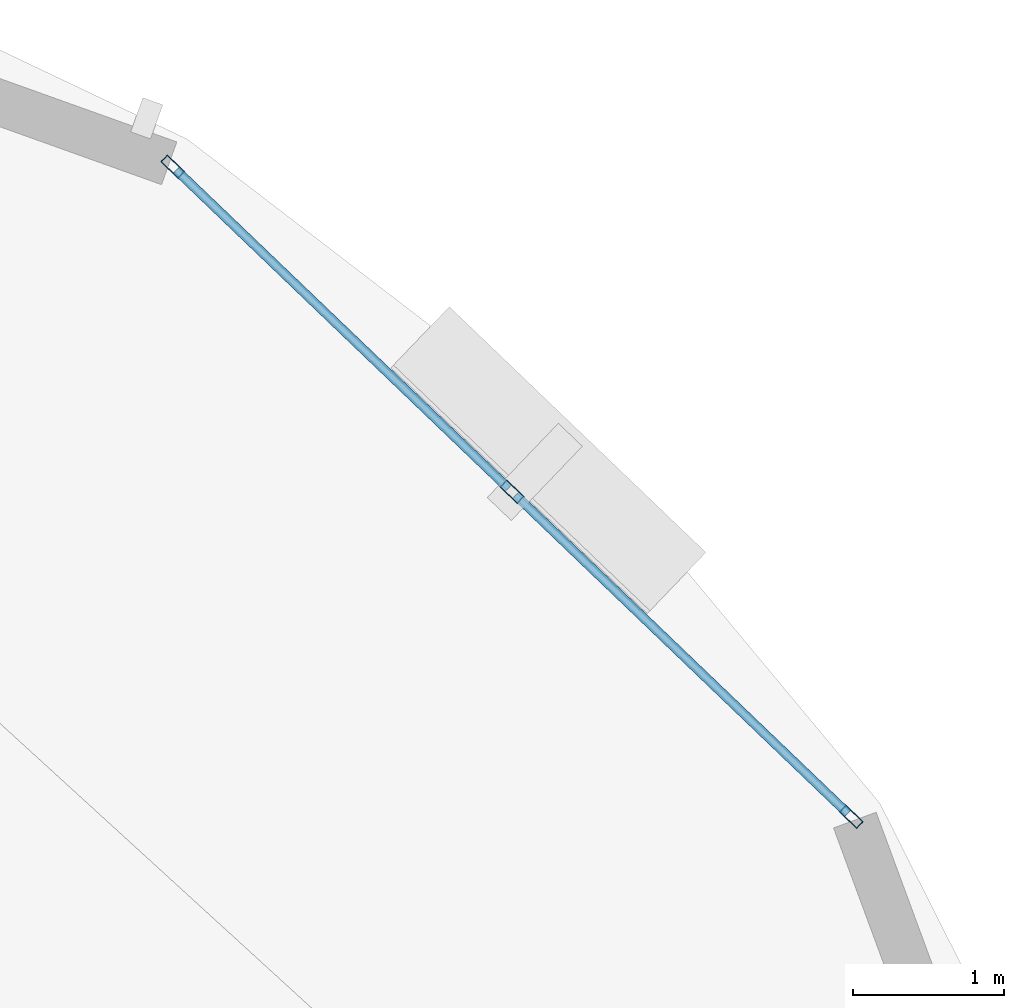
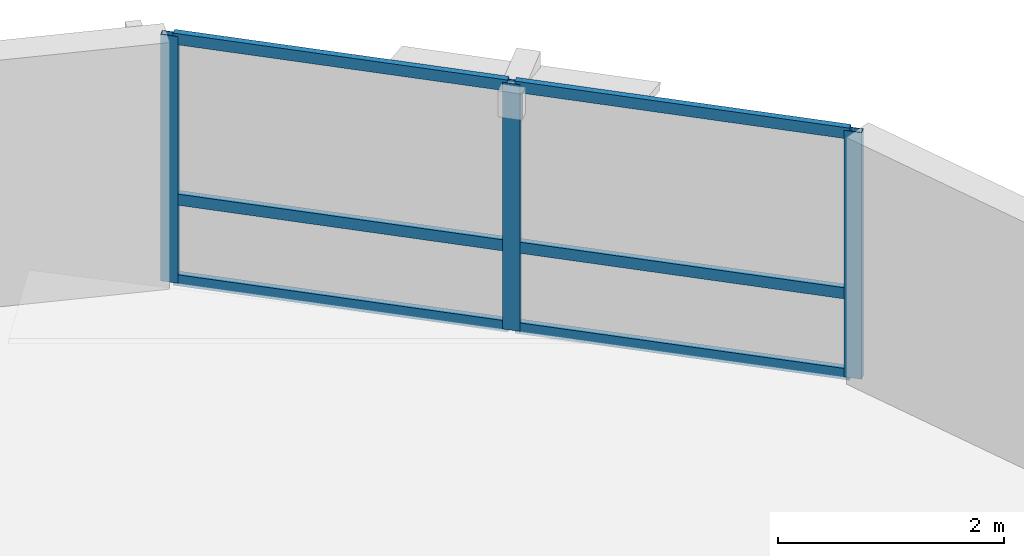
# One storey, part 6 of 12: 9 members, 1 element without a shape of its own.
"""IFC4 building model written with IfcOpenShell, lengths in metres."""

from ifc_helpers import new_model, si_unit, direction, frame, origin, origin_2d, place, context, subcontext, project, spatial, hollow_rectangle, extrude, material, layer, layer_set, material_profile, profile_set, type_object, element, aggregate, save


model = new_model("IFC4")

# Units and contexts
model_context = context("Model", 3, precision=1e-05, world=origin(), true_north=direction((0.0, 1.0)))
body_context = subcontext(model_context, "Body", "Model", "MODEL_VIEW")
ifc_project = project(units=[si_unit("LENGTHUNIT", "METRE"), si_unit("AREAUNIT", "SQUARE_METRE"), si_unit("VOLUMEUNIT", "CUBIC_METRE"), si_unit("PLANEANGLEUNIT", "RADIAN"), si_unit("MASSUNIT", "GRAM", prefix="KILO"), si_unit("THERMODYNAMICTEMPERATUREUNIT", "KELVIN"), si_unit("POWERUNIT", "WATT")], contexts=[model_context])

# Site, building, storey
site_placement = place(None, origin())
site = spatial("IfcSite", under=ifc_project, at=site_placement, CompositionType="ELEMENT")
building_placement = place(site_placement, origin())
building = spatial("IfcBuilding", under=site, at=building_placement, Name="Ocrelia Relay Tower", CompositionType="ELEMENT")
storey_placement = place(building_placement, frame((0.0, 0.0, 173.60009765625)))
storey = spatial("IfcBuildingStorey", under=building, at=storey_placement, Name="L41", CompositionType="ELEMENT", Elevation=173.60009765625)

# Curtain wall, members
ifc_material_1 = material(Name="Aluminium and solar-control low-E glass", Category="aluminium")
ifc_layer = layer(ifc_material_1, 0.179931640625, Name="Aluminium and solar-control low-E glass")
ifc_layer_set = layer_set([ifc_layer], Name="Aluminium and solar-control low-E glass")
curtain_wall_type = type_object("IfcCurtainWallType", Name="CW-SYS-Z3-CLOU", PredefinedType="NOTDEFINED", material=ifc_layer_set)
curtain_wall_placement = place(storey_placement, origin())
curtain_wall = element("IfcCurtainWall", 1, at=curtain_wall_placement, inside=storey, type_object=curtain_wall_type, Name="L41 Elliptical Tower Curtain Wall Bay 01", PredefinedType="NOTDEFINED")
ifc_material_2 = material(Name="Anodised bronze aluminium", Category="aluminium")
ifc_material_profile_1 = material_profile(ifc_material_2, hollow_rectangle(XDim=0.06494140625, YDim=0.159912109375, WallThickness=0.0048828125, at=origin_2d()), Name="CW-MUL-160x65")
ifc_profile_set_1 = profile_set([ifc_material_profile_1], Name="Anodised bronze aluminium")
member_type_1 = type_object("IfcMemberType", Name="CW-SYS-Z3-CLOU-MUL", PredefinedType="MULLION", material=ifc_profile_set_1)
member_1_placement = place(storey_placement, frame((53.545654296875, 38.8525390625, 0.0), z_axis=(0.0, 0.0, 1.0), x_axis=(-0.691759116335, -0.722128329985, 0.0)))
member_1 = element("IfcMember", 2, at=member_1_placement, type_object=member_type_1, Name="CW-Z3 mullion 1", PredefinedType="MULLION", context=body_context, shape_type="SweptSolid", body=[
    extrude(hollow_rectangle(XDim=0.06494140625, YDim=0.159912109375, WallThickness=0.0048828125, at=origin_2d()), origin(), (0.0, 0.0, 1.0), 2.659912109375),
])
member_2_placement = place(storey_placement, frame((51.300537109375, 41.003173828125, 0.0), z_axis=(0.0, 0.0, 1.0), x_axis=(-0.691759116335, -0.722128329985, 0.0)))
member_2 = element("IfcMember", 3, at=member_2_placement, type_object=member_type_1, Name="CW-Z3 mullion 2", PredefinedType="MULLION", context=body_context, shape_type="SweptSolid", body=[
    extrude(hollow_rectangle(XDim=0.06494140625, YDim=0.159912109375, WallThickness=0.0048828125, at=origin_2d()), origin(), (0.0, 0.0, 1.0), 2.659912109375),
])
member_3_placement = place(storey_placement, frame((49.0556640625, 43.15380859375, 0.0), z_axis=(0.0, 0.0, 1.0), x_axis=(-0.691759116335, -0.722128329985, 0.0)))
member_3 = element("IfcMember", 4, at=member_3_placement, type_object=member_type_1, Name="CW-Z3 mullion 3", PredefinedType="MULLION", context=body_context, shape_type="SweptSolid", body=[
    extrude(hollow_rectangle(XDim=0.06494140625, YDim=0.159912109375, WallThickness=0.0048828125, at=origin_2d()), origin(), (0.0, 0.0, 1.0), 2.659912109375),
])
ifc_material_profile_2 = material_profile(ifc_material_2, hollow_rectangle(XDim=0.06005859375, YDim=0.1201171875, WallThickness=0.0048828125, at=origin_2d()), Name="CW-TRN-120x60")
ifc_profile_set_2 = profile_set([ifc_material_profile_2], Name="Anodised bronze aluminium")
member_type_2 = type_object("IfcMemberType", Name="CW-SYS-Z3-CLOU-TRN", PredefinedType="USERDEFINED", material=ifc_profile_set_2)
member_4_placement = place(storey_placement, frame((53.522216796875, 38.875, 0.02978515625), z_axis=(-0.722103388293, 0.691785152064, 0.0), x_axis=(-0.691785152064, -0.722103388293, 0.0)))
member_4 = element("IfcMember", 5, at=member_4_placement, type_object=member_type_2, Name="CW-Z3 transom 1.1", ObjectType="TRANSOM", PredefinedType="USERDEFINED", context=body_context, shape_type="SweptSolid", body=[
    extrude(hollow_rectangle(XDim=0.06005859375, YDim=0.1201171875, WallThickness=0.0048828125, at=origin_2d()), origin(), (0.0, 0.0, 1.0), 3.0439453125),
])
member_5_placement = place(storey_placement, frame((53.522216796875, 38.875, 0.89990234375), z_axis=(-0.722103388293, 0.691785152064, 0.0), x_axis=(-0.691785152064, -0.722103388293, 0.0)))
member_5 = element("IfcMember", 6, at=member_5_placement, type_object=member_type_2, Name="CW-Z3 transom 1.2", ObjectType="TRANSOM", PredefinedType="USERDEFINED", context=body_context, shape_type="SweptSolid", body=[
    extrude(hollow_rectangle(XDim=0.06005859375, YDim=0.1201171875, WallThickness=0.0048828125, at=origin_2d()), origin(), (0.0, 0.0, 1.0), 3.0439453125),
])
member_6_placement = place(storey_placement, frame((53.522216796875, 38.875, 2.6298828125), z_axis=(-0.722103388293, 0.691785152064, 0.0), x_axis=(-0.691785152064, -0.722103388293, 0.0)))
member_6 = element("IfcMember", 7, at=member_6_placement, type_object=member_type_2, Name="CW-Z3 transom 1.3", ObjectType="TRANSOM", PredefinedType="USERDEFINED", context=body_context, shape_type="SweptSolid", body=[
    extrude(hollow_rectangle(XDim=0.06005859375, YDim=0.1201171875, WallThickness=0.0048828125, at=origin_2d()), origin(), (0.0, 0.0, 1.0), 3.0439453125),
])
member_7_placement = place(storey_placement, frame((51.277099609375, 41.025634765625, 0.02978515625), z_axis=(-0.722103388293, 0.691785152064, 0.0), x_axis=(-0.691785152064, -0.722103388293, 0.0)))
member_7 = element("IfcMember", 8, at=member_7_placement, type_object=member_type_2, Name="CW-Z3 transom 2.1", ObjectType="TRANSOM", PredefinedType="USERDEFINED", context=body_context, shape_type="SweptSolid", body=[
    extrude(hollow_rectangle(XDim=0.06005859375, YDim=0.1201171875, WallThickness=0.0048828125, at=origin_2d()), origin(), (0.0, 0.0, 1.0), 3.0439453125),
])
member_8_placement = place(storey_placement, frame((51.277099609375, 41.025634765625, 0.89990234375), z_axis=(-0.722103388293, 0.691785152064, 0.0), x_axis=(-0.691785152064, -0.722103388293, 0.0)))
member_8 = element("IfcMember", 9, at=member_8_placement, type_object=member_type_2, Name="CW-Z3 transom 2.2", ObjectType="TRANSOM", PredefinedType="USERDEFINED", context=body_context, shape_type="SweptSolid", body=[
    extrude(hollow_rectangle(XDim=0.06005859375, YDim=0.1201171875, WallThickness=0.0048828125, at=origin_2d()), origin(), (0.0, 0.0, 1.0), 3.0439453125),
])
member_9_placement = place(storey_placement, frame((51.277099609375, 41.025634765625, 2.6298828125), z_axis=(-0.722103388293, 0.691785152064, 0.0), x_axis=(-0.691785152064, -0.722103388293, 0.0)))
member_9 = element("IfcMember", 10, at=member_9_placement, type_object=member_type_2, Name="CW-Z3 transom 2.3", ObjectType="TRANSOM", PredefinedType="USERDEFINED", context=body_context, shape_type="SweptSolid", body=[
    extrude(hollow_rectangle(XDim=0.06005859375, YDim=0.1201171875, WallThickness=0.0048828125, at=origin_2d()), origin(), (0.0, 0.0, 1.0), 3.0439453125),
])
aggregate(curtain_wall, [member_1, member_2, member_3, member_4, member_5, member_6, member_7, member_8, member_9])

save(model, "model.ifc")
